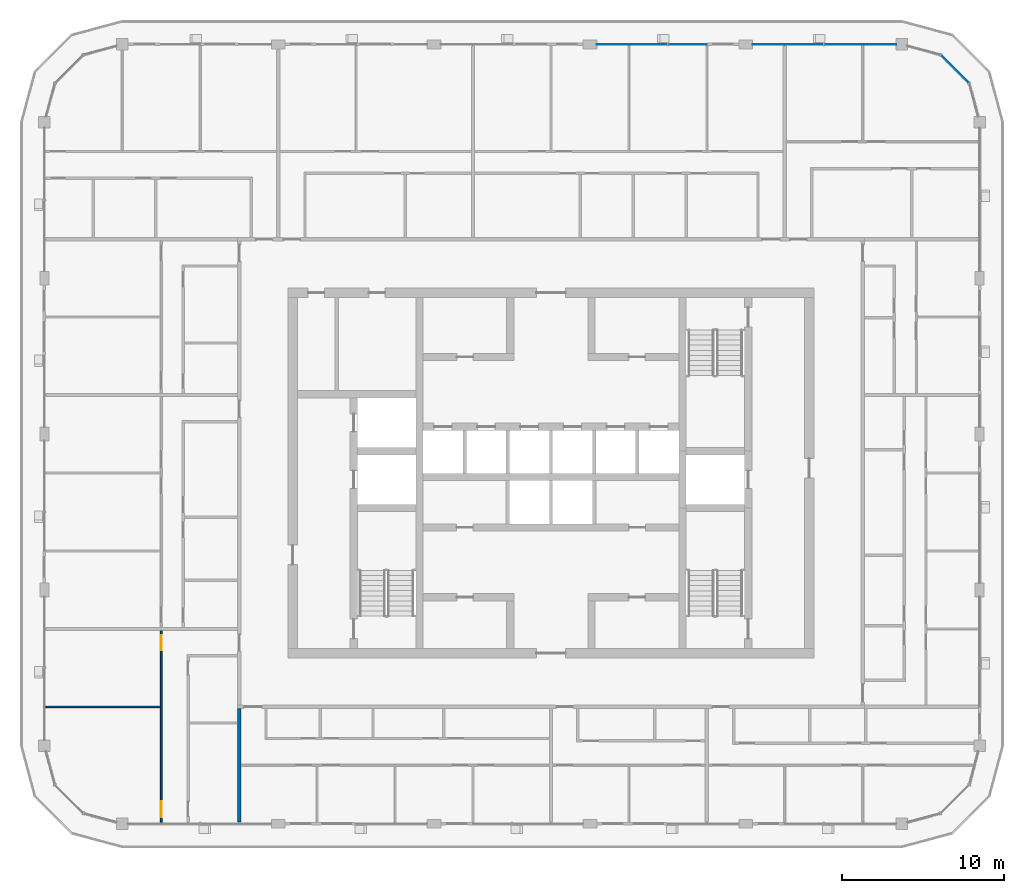
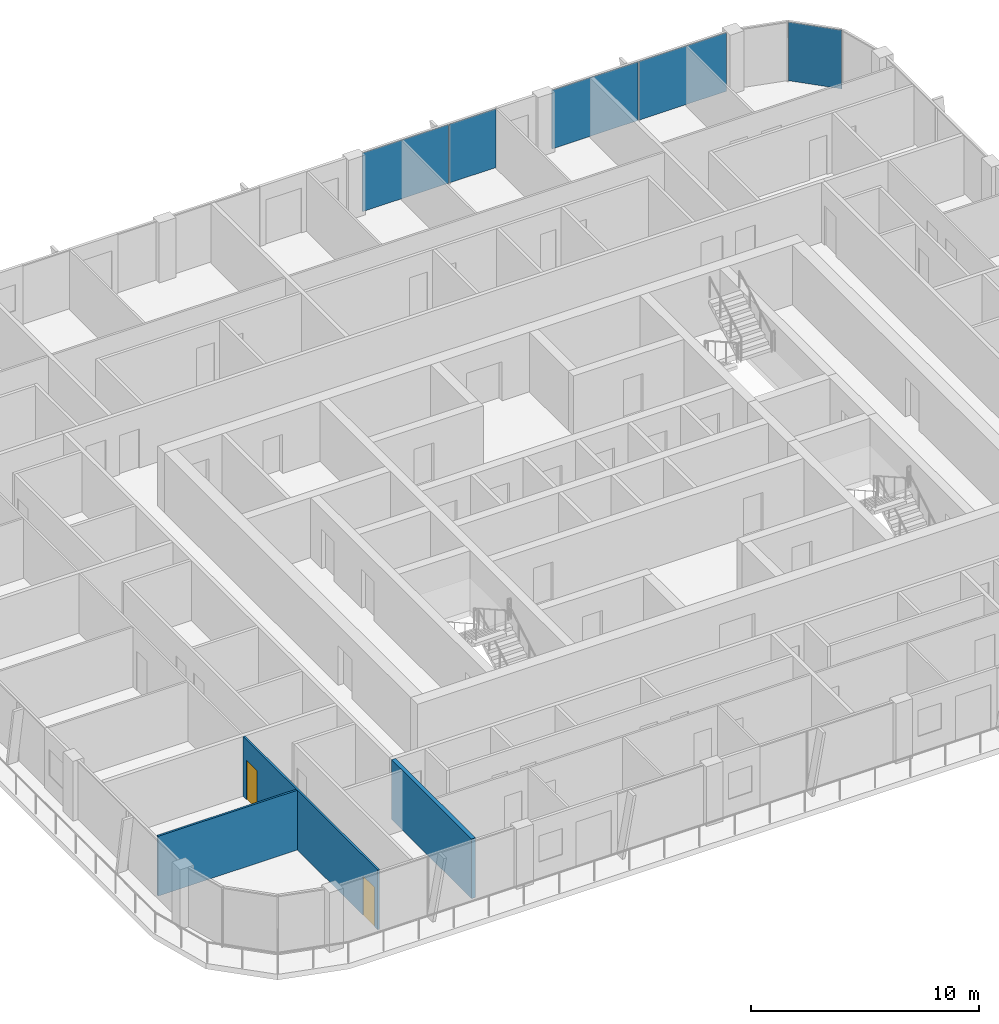
# One storey, part 8 of 21: 5 plates, 3 walls, 2 doors, 2 openings, 3 elements without a shape of their own.
"""IFC4 building model written with IfcOpenShell, lengths in metres."""

from ifc_helpers import new_model, si_unit, direction, frame, frame_2d, origin, origin_2d, place, context, subcontext, project, spatial, rectangle, extrude, material, layer, layer_set, type_object, element, fill, aggregate, save


model = new_model("IFC4")

# Units and contexts
model_context = context("Model", 3, precision=1e-05, world=origin(), true_north=direction((0.0, 1.0)))
body_context = subcontext(model_context, "Body", "Model", "MODEL_VIEW")
ifc_project = project(units=[si_unit("LENGTHUNIT", "METRE"), si_unit("AREAUNIT", "SQUARE_METRE"), si_unit("VOLUMEUNIT", "CUBIC_METRE"), si_unit("PLANEANGLEUNIT", "RADIAN"), si_unit("MASSUNIT", "GRAM", prefix="KILO")], contexts=[model_context])

# Site, building, storey
site_placement = place(None, origin())
site = spatial("IfcSite", under=ifc_project, at=site_placement, CompositionType="ELEMENT")
building_placement = place(site_placement, origin())
building = spatial("IfcBuilding", under=site, at=building_placement, Name="Madar Terraces", CompositionType="ELEMENT")
storey_placement = place(building_placement, frame((0.0, 0.0, 242.199951171875)))
storey = spatial("IfcBuildingStorey", under=building, at=storey_placement, Name="L63", CompositionType="ELEMENT", Elevation=242.199951171875)

# Curtain wall, plates
ifc_material_1 = material(Name="Glass, ceramic frit dark grey, with black aluminium frame", Category="aluminium")
ifc_layer_1 = layer(ifc_material_1, 0.199951171875)
ifc_layer_set_1 = layer_set([ifc_layer_1], Name="Facade curtain wall, fritted glass")
curtain_wall_type = type_object("IfcCurtainWallType", Name="Facade curtain wall, fritted glass", PredefinedType="NOTDEFINED", material=ifc_layer_set_1)
curtain_wall_1_placement = place(storey_placement, origin())
curtain_wall_1 = element("IfcCurtainWall", 1, at=curtain_wall_1_placement, inside=storey, type_object=curtain_wall_type, Name="Outer skin curtain wall north bay 1", PredefinedType="NOTDEFINED")
ifc_material_2 = material(Name="Glass, ceramic frit dark grey", Category="glass")
ifc_layer_2 = layer(ifc_material_2, 0.028076171875)
ifc_layer_set_2 = layer_set([ifc_layer_2], Name="Facade glass panel 28")
plate_type = type_object("IfcPlateType", Name="Facade glass panel 28", PredefinedType="CURTAIN_PANEL", material=ifc_layer_set_2)
plate_1_placement = place(storey_placement, frame((50.239990234375, 52.800048828125, 0.0), z_axis=(0.0, 0.0, 1.0), x_axis=(-1.0, 0.0, 0.0)))
plate_1 = element("IfcPlate", 2, at=plate_1_placement, type_object=plate_type, Name="Panel 1", PredefinedType="CURTAIN_PANEL", context=body_context, shape_type="SweptSolid", body=[
    extrude(rectangle(XDim=4.419921875, YDim=0.028076171875, at=origin_2d()), origin(), (0.0, 0.0, 1.0), 3.139892578125),
])
plate_2_placement = place(storey_placement, frame((45.797607421875, 52.800048828125, 0.0), z_axis=(0.0, 0.0, 1.0), x_axis=(-1.0, 0.0, 0.0)))
plate_2 = element("IfcPlate", 3, at=plate_2_placement, type_object=plate_type, Name="Panel 2", PredefinedType="CURTAIN_PANEL", context=body_context, shape_type="SweptSolid", body=[
    extrude(rectangle(XDim=4.344970703125, YDim=0.028076171875, at=origin_2d()), origin(), (0.0, 0.0, 1.0), 3.139892578125),
])
aggregate(curtain_wall_1, [plate_1, plate_2])

curtain_wall_2_placement = place(storey_placement, origin())
curtain_wall_2 = element("IfcCurtainWall", 4, at=curtain_wall_2_placement, inside=storey, type_object=curtain_wall_type, Name="Outer skin curtain wall north bay 2", PredefinedType="NOTDEFINED")
plate_3_placement = place(storey_placement, frame((39.614990234375, 52.800048828125, 0.0), z_axis=(0.0, 0.0, 1.0), x_axis=(-1.0, 0.0, 0.0)))
plate_3 = element("IfcPlate", 5, at=plate_3_placement, type_object=plate_type, Name="Panel 1", PredefinedType="CURTAIN_PANEL", context=body_context, shape_type="SweptSolid", body=[
    extrude(rectangle(XDim=2.3701171875, YDim=0.028076171875, at=origin_2d()), origin(), (0.0, 0.0, 1.0), 3.139892578125),
])
plate_4_placement = place(storey_placement, frame((36.197509765625, 52.800048828125, 0.0), z_axis=(0.0, 0.0, 1.0), x_axis=(-1.0, 0.0, 0.0)))
plate_4 = element("IfcPlate", 6, at=plate_4_placement, type_object=plate_type, Name="Panel 2", PredefinedType="CURTAIN_PANEL", context=body_context, shape_type="SweptSolid", body=[
    extrude(rectangle(XDim=4.344970703125, YDim=0.028076171875, at=origin_2d()), origin(), (0.0, 0.0, 1.0), 3.139892578125),
])
aggregate(curtain_wall_2, [plate_3, plate_4])

# Curtain wall, plate
curtain_wall_3_placement = place(storey_placement, origin())
curtain_wall_3 = element("IfcCurtainWall", 7, at=curtain_wall_3_placement, inside=storey, type_object=curtain_wall_type, Name="Outer skin curtain wall north-east corner", PredefinedType="NOTDEFINED")
plate_5_placement = place(storey_placement, frame((56.078369140625, 51.278564453125, 0.0), z_axis=(0.0, 0.0, 1.0), x_axis=(-0.707106781187, 0.707106781187, 0.0)))
plate_5 = element("IfcPlate", 8, at=plate_5_placement, type_object=plate_type, Name="Panel 2", PredefinedType="CURTAIN_PANEL", context=body_context, shape_type="SweptSolid", body=[
    extrude(rectangle(XDim=2.424560546875, YDim=0.028076171875, at=origin_2d()), origin(), (0.0, 0.0, 1.0), 3.139892578125),
])
aggregate(curtain_wall_3, [plate_5])

# Wall
ifc_material_3 = material(Name="Gypsum board on steel studs", Category="steel")
ifc_layer_3 = layer(ifc_material_3, 0.10009765625)
ifc_layer_set_3 = layer_set([ifc_layer_3], Name="Flat partition 100")
wall_type_1 = type_object("IfcWallType", Name="Flat partition 100", PredefinedType="PARTITIONING", material=ifc_layer_set_3)
wall_1_placement = place(storey_placement, frame((7.14990234375, 12.0, 0.0), z_axis=(0.0, 0.0, 1.0), x_axis=(-1.0, 0.0, 0.0)))
element("IfcWall", 9, at=wall_1_placement, inside=storey, type_object=wall_type_1, Name="Flat partition 100", PredefinedType="PARTITIONING", context=body_context, shape_type="SweptSolid", body=[
    extrude(rectangle(XDim=7.0498046875, YDim=0.10009765625, at=frame_2d((3.52490234375, 0.0))), origin(), (0.0, 0.0, 1.0), 3.199951171875),
])

# Wall, openings, doors
wall_2_placement = place(storey_placement, frame((7.199951171875, 4.89990234375, 0.0), z_axis=(0.0, 0.0, 1.0), x_axis=(0.0, 1.0, 0.0)))
wall_2 = element("IfcWall", 10, at=wall_2_placement, inside=storey, type_object=wall_type_1, Name="Flat partition 100", PredefinedType="PARTITIONING", context=body_context, shape_type="SweptSolid", body=[
    extrude(rectangle(XDim=11.800048828125, YDim=0.10009765625, at=frame_2d((5.89990234375, 0.0))), origin(), (0.0, 0.0, 1.0), 3.199951171875),
])
opening_1_placement = place(wall_2_placement, frame((10.60009765625, 0.0, 0.0)))
opening_1 = element("IfcOpeningElement", 11, at=opening_1_placement, cuts=wall_2, Name="Opening D2", PredefinedType="OPENING", context=body_context, shape_type="SweptSolid", body=[
    extrude(rectangle(XDim=0.89990234375, YDim=2.10009765625, at=frame_2d((0.449951171875, 1.050048828125))), frame((0.0, 0.06005859375, 0.0), z_axis=(0.0, -1.0, 0.0), x_axis=(1.0, 0.0, 0.0)), (0.0, 0.0, 1.0), 0.1201171875),
])
opening_2_placement = place(wall_2_placement, frame((0.300048828125, 0.0, 0.0)))
opening_2 = element("IfcOpeningElement", 12, at=opening_2_placement, cuts=wall_2, Name="Opening D3", PredefinedType="OPENING", context=body_context, shape_type="SweptSolid", body=[
    extrude(rectangle(XDim=1.0, YDim=2.10009765625, at=frame_2d((0.5, 1.050048828125))), frame((0.0, 0.06005859375, 0.0), z_axis=(0.0, -1.0, 0.0), x_axis=(1.0, 0.0, 0.0)), (0.0, 0.0, 1.0), 0.1201171875),
])
ifc_material_4 = material(Name="Timber door leaf", Category="wood")
door_type_1 = type_object("IfcDoorType", Name="Flat living room door 1000", OperationType="NOTDEFINED", PredefinedType="DOOR", material=ifc_material_4)
door_1_placement = place(opening_2_placement, origin())
door_1 = element("IfcDoor", 13, at=door_1_placement, inside=storey, type_object=door_type_1, Name="Flat living room door 1000", OperationType="SINGLE_SWING_LEFT", OverallHeight=2.10009765625, OverallWidth=1.0, PredefinedType="DOOR", context=body_context, shape_type="SweptSolid", body=[
    extrude(rectangle(XDim=1.0, YDim=2.10009765625, at=frame_2d((0.5, 1.050048828125))), frame((0.0, 0.02490234375, 0.0), z_axis=(0.0, -1.0, 0.0), x_axis=(1.0, 0.0, 0.0)), (0.0, 0.0, 1.0), 0.050048828125),
])
fill(opening_2, door_1)
ifc_material_5 = material(Name="Timber door leaf", Category="wood")
door_type_2 = type_object("IfcDoorType", Name="Flat room door 900", OperationType="NOTDEFINED", PredefinedType="DOOR", material=ifc_material_5)
door_2_placement = place(opening_1_placement, origin())
door_2 = element("IfcDoor", 14, at=door_2_placement, inside=storey, type_object=door_type_2, Name="Flat room door 900", OperationType="SINGLE_SWING_RIGHT", OverallHeight=2.10009765625, OverallWidth=0.89990234375, PredefinedType="DOOR", context=body_context, shape_type="SweptSolid", body=[
    extrude(rectangle(XDim=0.89990234375, YDim=2.10009765625, at=frame_2d((0.449951171875, 1.050048828125))), frame((0.0, 0.02490234375, 0.0), z_axis=(0.0, -1.0, 0.0), x_axis=(1.0, 0.0, 0.0)), (0.0, 0.0, 1.0), 0.050048828125),
])
fill(opening_1, door_2)

# Wall
ifc_material_6 = material(Name="Lightweight blockwork", Category="masonry")
ifc_layer_4 = layer(ifc_material_6, 0.199951171875)
ifc_layer_set_4 = layer_set([ifc_layer_4], Name="Flat party and entrance wall 200")
wall_type_2 = type_object("IfcWallType", Name="Flat party and entrance wall 200", PredefinedType="PARTITIONING", material=ifc_layer_set_4)
wall_3_placement = place(storey_placement, frame((12.0, 4.89990234375, 0.0), z_axis=(0.0, 0.0, 1.0), x_axis=(0.0, 1.0, 0.0)))
element("IfcWall", 15, at=wall_3_placement, inside=storey, type_object=wall_type_2, Name="Flat party and entrance wall 200", PredefinedType="PARTITIONING", context=body_context, shape_type="SweptSolid", body=[
    extrude(rectangle(XDim=7.0, YDim=0.199951171875, at=frame_2d((3.5, 0.0))), origin(), (0.0, 0.0, 1.0), 3.199951171875),
])

save(model, "model.ifc")
